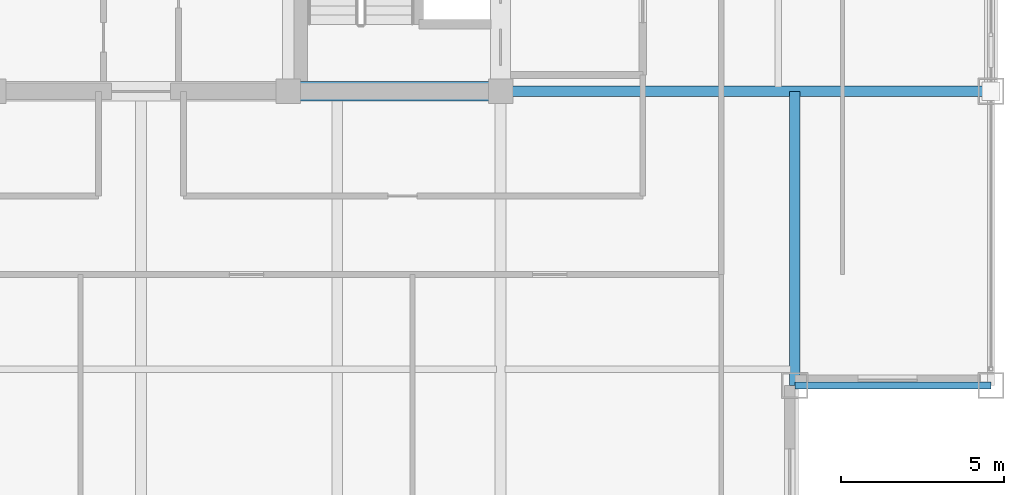
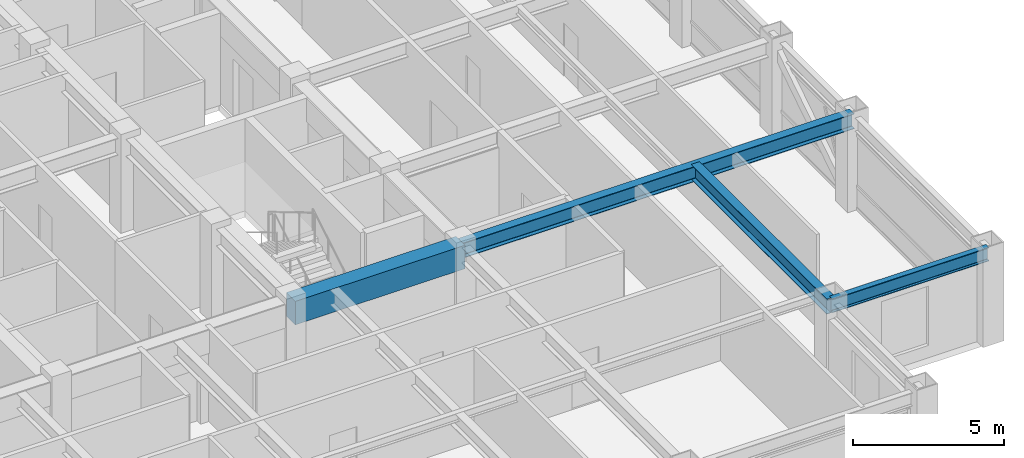
# One storey, part 9 of 28: 4 beams.
"""IFC4 building model written with IfcOpenShell, lengths in metres."""

from ifc_helpers import new_model, si_unit, direction, frame, origin, origin_2d, place, context, subcontext, project, spatial, rectangle, i_section, extrude, source, transform, mapped, material, material_profile, profile_set, type_object, element, save


model = new_model("IFC4")

# Units and contexts
model_context = context("Model", 3, precision=1e-05, world=origin(), true_north=direction((0.0, 1.0)))
body_context = subcontext(model_context, "Body", "Model", "MODEL_VIEW")
ifc_project = project(units=[si_unit("LENGTHUNIT", "METRE"), si_unit("AREAUNIT", "SQUARE_METRE"), si_unit("VOLUMEUNIT", "CUBIC_METRE"), si_unit("PLANEANGLEUNIT", "RADIAN"), si_unit("MASSUNIT", "GRAM", prefix="KILO")], contexts=[model_context])

# Site, building, storey
site_placement = place(None, origin())
site = spatial("IfcSite", under=ifc_project, at=site_placement, CompositionType="ELEMENT")
building_placement = place(site_placement, origin())
building = spatial("IfcBuilding", under=site, at=building_placement, Name="Khorayat Bourse Tower", CompositionType="ELEMENT")
storey_placement = place(building_placement, frame((0.0, 0.0, 338.300048828125)))
storey = spatial("IfcBuildingStorey", under=building, at=storey_placement, Name="L80", CompositionType="ELEMENT", Elevation=338.300048828125)

# Beams
ifc_material_1 = material(Name="Concrete C60/75", Category="concrete")
ifc_material_profile_1 = material_profile(ifc_material_1, rectangle(XDim=0.60009765625, YDim=0.949951171875, at=origin_2d()), Name="RC 600x950")
ifc_profile_set_1 = profile_set([ifc_material_profile_1], Name="Concrete C60/75")
beam_type_1 = type_object("IfcBeamType", Name="BM-COUP-950", PredefinedType="BEAM", material=ifc_profile_set_1)
shared_shape_1 = source(origin(), body_context, "Body", "SweptSolid", [
    extrude(rectangle(XDim=0.60009765625, YDim=0.949951171875, at=origin_2d()), origin(), (0.0, 0.0, 1.0), 6.5),
])
beam_1_placement = place(storey_placement, frame((4.5, -11.0, 3.264892578125), z_axis=(1.0, 0.0, 0.0), x_axis=(0.0, 1.0, 0.0)))
element("IfcBeam", 1, at=beam_1_placement, inside=storey, type_object=beam_type_1, Name="L80 BM-COUP-950 BM-L80-CRY-19", PredefinedType="BEAM", context=body_context, shape_type="MappedRepresentation", body=[
    mapped(shared_shape_1, transform((0.0, 0.0, 0.0), scale=1.0)),
])
ifc_material_2 = material(Name="Steel ASTM A992 Grade 50", Category="steel")
ifc_material_profile_2 = material_profile(ifc_material_2, i_section(OverallWidth=0.214111328125, OverallDepth=0.549072265625, WebThickness=0.0146484375, FlangeThickness=0.023681640625, FilletRadius=0.013916015625, at=origin_2d()), Name="W530X138")
ifc_profile_set_2 = profile_set([ifc_material_profile_2], Name="Steel ASTM A992 Grade 50")
beam_type_2 = type_object("IfcBeamType", Name="BM-SPAN-530", PredefinedType="SPANDREL", material=ifc_profile_set_2)
shared_shape_2 = source(origin(), body_context, "Body", "SweptSolid", [
    extrude(i_section(OverallWidth=0.214111328125, OverallDepth=0.549072265625, WebThickness=0.0146484375, FlangeThickness=0.023681640625, FilletRadius=0.013916015625, at=origin_2d()), origin(), (0.0, 0.0, 1.0), 6.0),
])
beam_2_placement = place(storey_placement, frame((20.0, -20.0, 3.46533203125), z_axis=(1.0, 0.0, 0.0), x_axis=(0.0, 1.0, 0.0)))
element("IfcBeam", 2, at=beam_2_placement, inside=storey, type_object=beam_type_2, Name="L80 BM-SPAN-530 BM-L80-SPN-031", PredefinedType="SPANDREL", context=body_context, shape_type="MappedRepresentation", body=[
    mapped(shared_shape_2, transform((0.0, 0.0, 0.0), scale=1.0)),
])
ifc_material_profile_3 = material_profile(ifc_material_2, i_section(OverallWidth=0.324951171875, OverallDepth=0.615966796875, WebThickness=0.013916015625, FlangeThickness=0.021484375, FilletRadius=0.01611328125, at=origin_2d()), Name="W610X174")
ifc_profile_set_3 = profile_set([ifc_material_profile_3], Name="Steel ASTM A992 Grade 50")
beam_type_3 = type_object("IfcBeamType", Name="BM-GIRD-610", PredefinedType="BEAM", material=ifc_profile_set_3)
shared_shape_3 = source(origin(), body_context, "Body", "SweptSolid", [
    extrude(i_section(OverallWidth=0.324951171875, OverallDepth=0.615966796875, WebThickness=0.013916015625, FlangeThickness=0.021484375, FilletRadius=0.01611328125, at=origin_2d()), origin(), (0.0, 0.0, 1.0), 15.0),
])
beam_3_placement = place(storey_placement, frame((11.0, -11.0, 3.431884765625), z_axis=(1.0, 0.0, 0.0), x_axis=(0.0, 1.0, 0.0)))
element("IfcBeam", 3, at=beam_3_placement, inside=storey, type_object=beam_type_3, Name="L80 BM-GIRD-610 BM-L80-RADX-066", PredefinedType="BEAM", context=body_context, shape_type="MappedRepresentation", body=[
    mapped(shared_shape_3, transform((0.0, 0.0, 0.0), scale=1.0)),
])
shared_shape_4 = source(origin(), body_context, "Body", "SweptSolid", [
    extrude(i_section(OverallWidth=0.324951171875, OverallDepth=0.615966796875, WebThickness=0.013916015625, FlangeThickness=0.021484375, FilletRadius=0.01611328125, at=origin_2d()), origin(), (0.0, 0.0, 1.0), 9.0),
])
beam_4_placement = place(storey_placement, frame((20.0, -20.0, 3.431884765625), z_axis=(0.0, 1.0, 0.0), x_axis=(-1.0, 0.0, 0.0)))
element("IfcBeam", 4, at=beam_4_placement, inside=storey, type_object=beam_type_3, Name="L80 BM-GIRD-610 BM-L80-CNRY-078", PredefinedType="BEAM", context=body_context, shape_type="MappedRepresentation", body=[
    mapped(shared_shape_4, transform((0.0, 0.0, 0.0), scale=1.0)),
])

save(model, "model.ifc")
